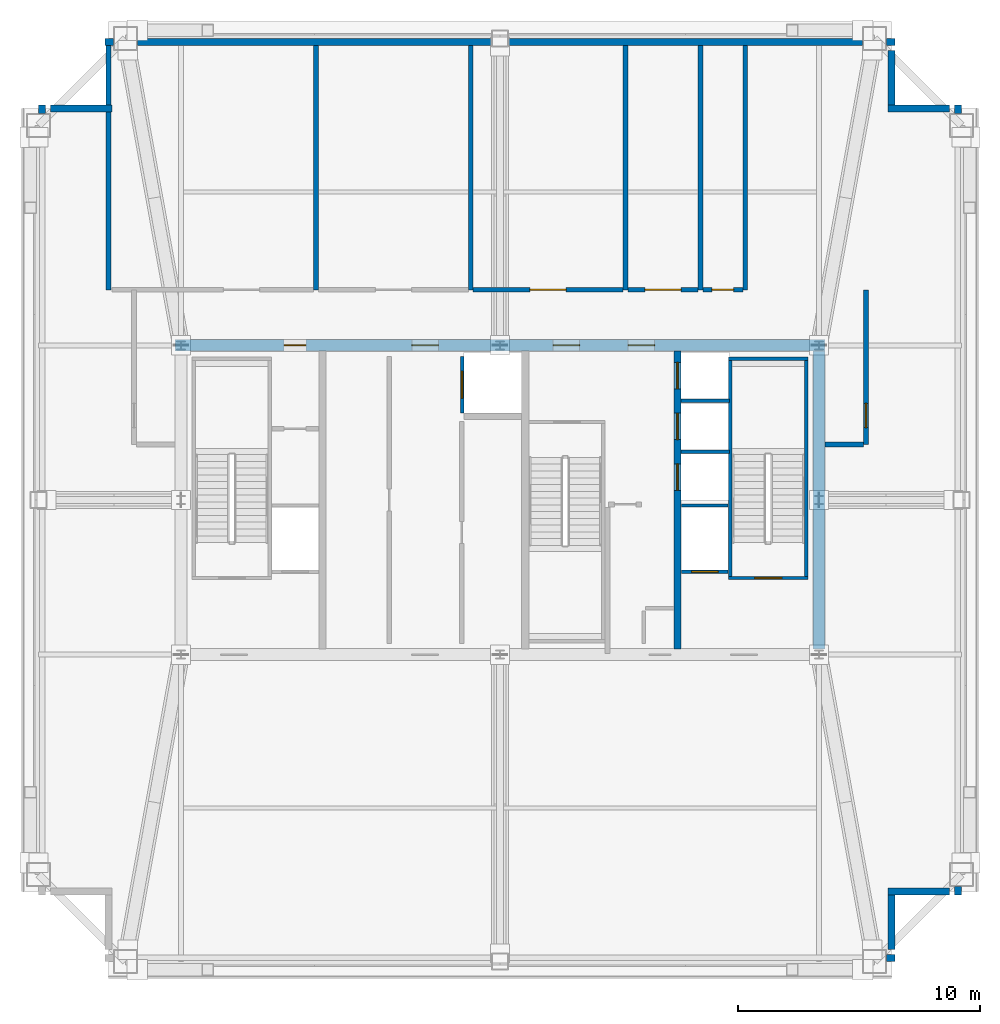
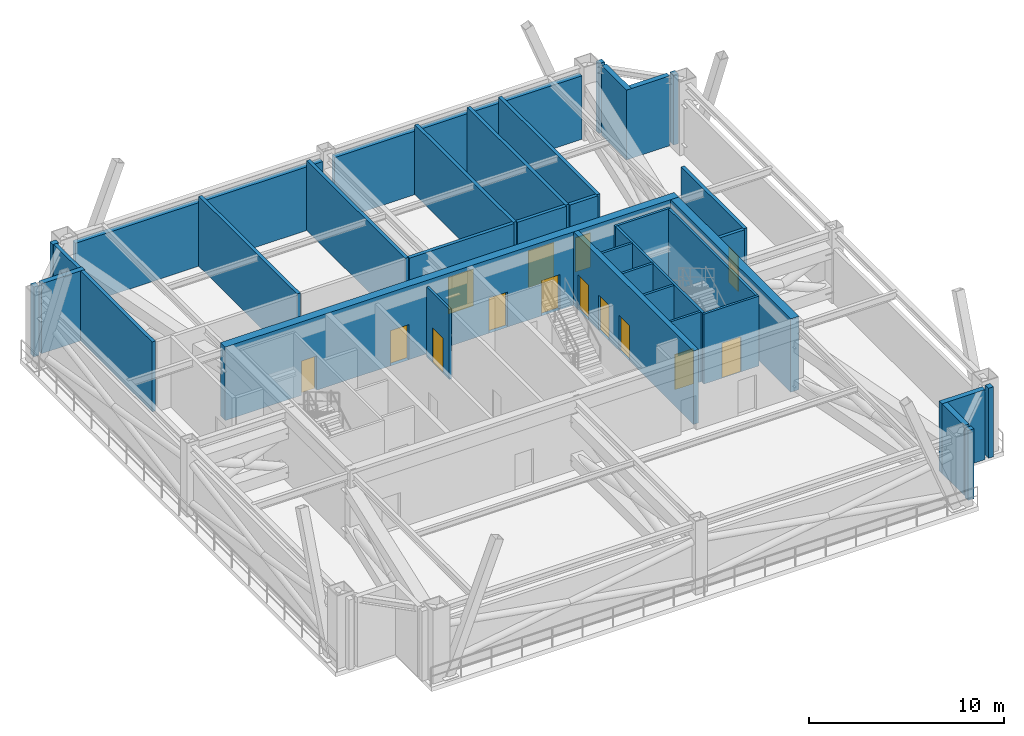
# One storey, part 6 of 9: 36 walls, 14 doors, 14 openings.
"""IFC4 building model written with IfcOpenShell, lengths in metres."""

from ifc_helpers import new_model, si_unit, direction, frame, frame_2d, origin, place, context, subcontext, project, spatial, rectangle, extrude, source, transform, mapped, material, layer, layer_set, type_object, element, fill, save


model = new_model("IFC4")

# Units and contexts
model_context = context("Model", 3, precision=1e-05, world=origin(), true_north=direction((0.0, 1.0)))
body_context = subcontext(model_context, "Body", "Model", "MODEL_VIEW")
ifc_project = project(units=[si_unit("LENGTHUNIT", "METRE"), si_unit("AREAUNIT", "SQUARE_METRE"), si_unit("VOLUMEUNIT", "CUBIC_METRE"), si_unit("PLANEANGLEUNIT", "RADIAN"), si_unit("MASSUNIT", "GRAM", prefix="KILO"), si_unit("THERMODYNAMICTEMPERATUREUNIT", "KELVIN"), si_unit("POWERUNIT", "WATT")], contexts=[model_context])

# Site, building, storey
site_placement = place(None, origin())
site = spatial("IfcSite", under=ifc_project, at=site_placement, CompositionType="ELEMENT")
building_placement = place(site_placement, origin())
building = spatial("IfcBuilding", under=site, at=building_placement, Name="Yuzanri Waterfront Tower", CompositionType="ELEMENT")
storey_placement = place(building_placement, frame((0.0, 0.0, 306.60009765625)))
storey = spatial("IfcBuildingStorey", under=building, at=storey_placement, Name="L82", CompositionType="ELEMENT", Elevation=306.60009765625)

# Wall, openings, doors
ifc_material_1 = material(Name="Concrete C45", Category="concrete")
ifc_layer_1 = layer(ifc_material_1, 0.47998046875)
ifc_layer_set_1 = layer_set([ifc_layer_1], Name="Concrete C45")
wall_type_1 = type_object("IfcWallType", Name="Concrete C45 High-Rise Core Shear Wall 480", PredefinedType="SHEAR", material=ifc_layer_set_1)
wall_1_placement = place(storey_placement, frame((23.56005859375, 32.199951171875, 0.0), z_axis=(0.0, 0.0, 1.0), x_axis=(1.0, 0.0, 0.0)))
wall_1 = element("IfcWall", 1, at=wall_1_placement, inside=storey, type_object=wall_type_1, Name="L82 Core North Shear Wall", PredefinedType="SHEAR", context=body_context, shape_type="SweptSolid", body=[
    extrude(rectangle(XDim=26.8798828125, YDim=0.47998046875, at=frame_2d((13.43994140625, 0.0))), origin(), (0.0, 0.0, 1.0), 4.599853515625),
])
opening_1_placement = place(wall_1_placement, frame((4.510009765625, 0.0, 0.0)))
opening_1 = element("IfcOpeningElement", 2, at=opening_1_placement, cuts=wall_1, Name="Opening FD-0900", PredefinedType="OPENING", context=body_context, shape_type="SweptSolid", body=[
    extrude(rectangle(XDim=0.89990234375, YDim=2.14990234375, at=frame_2d((0.449951171875, 1.074951171875))), frame((0.0, 0.2548828125, 0.0), z_axis=(0.0, -1.0, 0.0), x_axis=(1.0, 0.0, 0.0)), (0.0, 0.0, 1.0), 0.509765625),
])
opening_2_placement = place(wall_1_placement, frame((9.7900390625, 0.0, 0.0)))
opening_2 = element("IfcOpeningElement", 3, at=opening_2_placement, cuts=wall_1, Name="Opening FD-1100", PredefinedType="OPENING", context=body_context, shape_type="SweptSolid", body=[
    extrude(rectangle(XDim=1.10009765625, YDim=2.199951171875, at=frame_2d((0.550048828125, 1.10009765625))), frame((0.0, 0.2548828125, 0.0), z_axis=(0.0, -1.0, 0.0), x_axis=(1.0, 0.0, 0.0)), (0.0, 0.0, 1.0), 0.509765625),
])
opening_3_placement = place(wall_1_placement, frame((15.639892578125, 0.0, 0.0)))
opening_3 = element("IfcOpeningElement", 4, at=opening_3_placement, cuts=wall_1, Name="Opening FD-1100", PredefinedType="OPENING", context=body_context, shape_type="SweptSolid", body=[
    extrude(rectangle(XDim=1.10009765625, YDim=2.199951171875, at=frame_2d((0.550048828125, 1.10009765625))), frame((0.0, 0.2548828125, 0.0), z_axis=(0.0, -1.0, 0.0), x_axis=(1.0, 0.0, 0.0)), (0.0, 0.0, 1.0), 0.509765625),
])
opening_4_placement = place(wall_1_placement, frame((18.739990234375, 0.0, 0.0)))
opening_4 = element("IfcOpeningElement", 5, at=opening_4_placement, cuts=wall_1, Name="Opening FD-1100", PredefinedType="OPENING", context=body_context, shape_type="SweptSolid", body=[
    extrude(rectangle(XDim=1.10009765625, YDim=2.199951171875, at=frame_2d((0.550048828125, 1.10009765625))), frame((0.0, 0.2548828125, 0.0), z_axis=(0.0, -1.0, 0.0), x_axis=(1.0, 0.0, 0.0)), (0.0, 0.0, 1.0), 0.509765625),
])
ifc_material_2 = material(Name="Painted Galvanized Fire Steel", Category="steel")
door_type_1 = type_object("IfcDoorType", Name="Smoke-Proof Stair and Lobby Fire Door 1100x2200", OperationType="NOTDEFINED", PredefinedType="DOOR", material=ifc_material_2)
shared_shape_1 = source(origin(), body_context, "Body", "SweptSolid", [
    extrude(rectangle(XDim=1.10009765625, YDim=2.199951171875, at=frame_2d((0.550048828125, 1.10009765625))), frame((0.0, 0.02490234375, 0.0), z_axis=(0.0, -1.0, 0.0), x_axis=(1.0, 0.0, 0.0)), (0.0, 0.0, 1.0), 0.050048828125),
])
door_1_placement = place(opening_2_placement, origin())
door_1 = element("IfcDoor", 6, at=door_1_placement, inside=storey, type_object=door_type_1, Name="L82 Central Lift Lobby North Door", OperationType="SINGLE_SWING_LEFT", OverallHeight=2.199951171875, OverallWidth=1.10009765625, PredefinedType="DOOR", context=body_context, shape_type="MappedRepresentation", body=[
    mapped(shared_shape_1, transform((0.0, 0.0, 0.0), scale=1.0)),
])
fill(opening_2, door_1)
door_2_placement = place(opening_3_placement, origin())
door_2 = element("IfcDoor", 7, at=door_2_placement, inside=storey, type_object=door_type_1, Name="L82 North Stair Lobby Door", OperationType="SINGLE_SWING_RIGHT", OverallHeight=2.199951171875, OverallWidth=1.10009765625, PredefinedType="DOOR", context=body_context, shape_type="MappedRepresentation", body=[
    mapped(shared_shape_1, transform((0.0, 0.0, 0.0), scale=1.0)),
])
fill(opening_3, door_2)
door_3_placement = place(opening_4_placement, origin())
door_3 = element("IfcDoor", 8, at=door_3_placement, inside=storey, type_object=door_type_1, Name="L82 High-Rise Lift Lobby North Door", OperationType="SINGLE_SWING_LEFT", OverallHeight=2.199951171875, OverallWidth=1.10009765625, PredefinedType="DOOR", context=body_context, shape_type="MappedRepresentation", body=[
    mapped(shared_shape_1, transform((0.0, 0.0, 0.0), scale=1.0)),
])
fill(opening_4, door_3)
ifc_material_3 = material(Name="Painted Galvanized Fire Steel", Category="steel")
door_type_2 = type_object("IfcDoorType", Name="Riser and Service Room Fire Door 900x2150", OperationType="NOTDEFINED", PredefinedType="DOOR", material=ifc_material_3)
shared_shape_2 = source(origin(), body_context, "Body", "SweptSolid", [
    extrude(rectangle(XDim=0.89990234375, YDim=2.14990234375, at=frame_2d((0.449951171875, 1.074951171875))), frame((0.0, 0.02490234375, 0.0), z_axis=(0.0, -1.0, 0.0), x_axis=(1.0, 0.0, 0.0)), (0.0, 0.0, 1.0), 0.050048828125),
])
door_4_placement = place(opening_1_placement, origin())
door_4 = element("IfcDoor", 9, at=door_4_placement, inside=storey, type_object=door_type_2, Name="L82 Telecom Riser Door", OperationType="SINGLE_SWING_RIGHT", OverallHeight=2.14990234375, OverallWidth=0.89990234375, PredefinedType="DOOR", context=body_context, shape_type="MappedRepresentation", body=[
    mapped(shared_shape_2, transform((0.0, 0.0, 0.0), scale=1.0)),
])
fill(opening_1, door_4)

ifc_material_4 = material(Name="Concrete C50", Category="concrete")
ifc_layer_2 = layer(ifc_material_4, 0.300048828125)
ifc_layer_set_2 = layer_set([ifc_layer_2], Name="Concrete C50")
wall_type_2 = type_object("IfcWallType", Name="Concrete C50 Internal Core Shaft Structural Wall 300", PredefinedType="SOLIDWALL", material=ifc_layer_set_2)
wall_2_placement = place(storey_placement, frame((44.35009765625, 19.639892578125, 0.0), z_axis=(0.0, 0.0, 1.0), x_axis=(0.0, 1.0, 0.0)))
wall_2 = element("IfcWall", 10, at=wall_2_placement, inside=storey, type_object=wall_type_2, Name="L82 Core Internal Structural Web Wall 3", PredefinedType="SOLIDWALL", context=body_context, shape_type="SweptSolid", body=[
    extrude(rectangle(XDim=12.320068359375, YDim=0.300048828125, at=frame_2d((6.16015625, 0.0))), origin(), (0.0, 0.0, 1.0), 4.599853515625),
])
opening_5_placement = place(wall_2_placement, frame((6.56005859375, 0.0, 0.0)))
opening_5 = element("IfcOpeningElement", 11, at=opening_5_placement, cuts=wall_2, Name="Opening LD-PL-09", PredefinedType="OPENING", context=body_context, shape_type="SweptSolid", body=[
    extrude(rectangle(XDim=1.10009765625, YDim=2.199951171875, at=frame_2d((0.550048828125, 1.10009765625))), frame((0.0, 0.1650390625, 0.0), z_axis=(0.0, -1.0, 0.0), x_axis=(1.0, 0.0, 0.0)), (0.0, 0.0, 1.0), 0.329833984375),
])
opening_6_placement = place(wall_2_placement, frame((8.659912109375, 0.0, 0.0)))
opening_6 = element("IfcOpeningElement", 12, at=opening_6_placement, cuts=wall_2, Name="Opening LD-PL-10", PredefinedType="OPENING", context=body_context, shape_type="SweptSolid", body=[
    extrude(rectangle(XDim=1.10009765625, YDim=2.199951171875, at=frame_2d((0.550048828125, 1.10009765625))), frame((0.0, 0.1650390625, 0.0), z_axis=(0.0, -1.0, 0.0), x_axis=(1.0, 0.0, 0.0)), (0.0, 0.0, 1.0), 0.329833984375),
])
opening_7_placement = place(wall_2_placement, frame((10.760009765625, 0.0, 0.0)))
opening_7 = element("IfcOpeningElement", 13, at=opening_7_placement, cuts=wall_2, Name="Opening LD-PL-11", PredefinedType="OPENING", context=body_context, shape_type="SweptSolid", body=[
    extrude(rectangle(XDim=1.10009765625, YDim=2.199951171875, at=frame_2d((0.550048828125, 1.10009765625))), frame((0.0, 0.1650390625, 0.0), z_axis=(0.0, -1.0, 0.0), x_axis=(1.0, 0.0, 0.0)), (0.0, 0.0, 1.0), 0.329833984375),
])
ifc_material_5 = material(Name="Brushed Bronze and Stainless Steel Cab", Category="steel")
door_type_3 = type_object("IfcDoorType", Name="Center-Parting Bronze Lift Landing Sliding Door 1100x2200", OperationType="NOTDEFINED", PredefinedType="DOOR", material=ifc_material_5)
shared_shape_3 = source(origin(), body_context, "Body", "SweptSolid", [
    extrude(rectangle(XDim=1.10009765625, YDim=2.199951171875, at=frame_2d((0.550048828125, 1.10009765625))), frame((0.0, 0.02490234375, 0.0), z_axis=(0.0, -1.0, 0.0), x_axis=(1.0, 0.0, 0.0)), (0.0, 0.0, 1.0), 0.050048828125),
])
door_5_placement = place(opening_5_placement, origin())
door_5 = element("IfcDoor", 14, at=door_5_placement, inside=storey, type_object=door_type_3, Name="L82 PL-09 Lift Landing Sliding Door", OperationType="SLIDING_TO_LEFT", OverallHeight=2.199951171875, OverallWidth=1.10009765625, PredefinedType="DOOR", context=body_context, shape_type="MappedRepresentation", body=[
    mapped(shared_shape_3, transform((0.0, 0.0, 0.0), scale=1.0)),
])
fill(opening_5, door_5)
door_6_placement = place(opening_6_placement, origin())
door_6 = element("IfcDoor", 15, at=door_6_placement, inside=storey, type_object=door_type_3, Name="L82 PL-10 Lift Landing Sliding Door", OperationType="SLIDING_TO_RIGHT", OverallHeight=2.199951171875, OverallWidth=1.10009765625, PredefinedType="DOOR", context=body_context, shape_type="MappedRepresentation", body=[
    mapped(shared_shape_3, transform((0.0, 0.0, 0.0), scale=1.0)),
])
fill(opening_6, door_6)
door_7_placement = place(opening_7_placement, origin())
door_7 = element("IfcDoor", 16, at=door_7_placement, inside=storey, type_object=door_type_3, Name="L82 PL-11 Lift Landing Sliding Door", OperationType="SLIDING_TO_LEFT", OverallHeight=2.199951171875, OverallWidth=1.10009765625, PredefinedType="DOOR", context=body_context, shape_type="MappedRepresentation", body=[
    mapped(shared_shape_3, transform((0.0, 0.0, 0.0), scale=1.0)),
])
fill(opening_7, door_7)

# Wall, opening, door
ifc_material_6 = material(Name="Concrete C40", Category="concrete")
ifc_layer_3 = layer(ifc_material_6, 0.139892578125)
ifc_layer_set_3 = layer_set([ifc_layer_3], Name="Concrete C40")
wall_type_3 = type_object("IfcWallType", Name="Core Stair Liner and Hoistway Shaft Wall 140", PredefinedType="SOLIDWALL", material=ifc_layer_set_3)
wall_3_placement = place(storey_placement, frame((44.52001953125, 22.830078125, 0.0), z_axis=(0.0, 0.0, 1.0), x_axis=(1.0, 0.0, 0.0)))
wall_3 = element("IfcWall", 17, at=wall_3_placement, inside=storey, type_object=wall_type_3, Name="L82 Lift FL-02 Front Shaft Wall", PredefinedType="SOLIDWALL", context=body_context, shape_type="SweptSolid", body=[
    extrude(rectangle(XDim=1.919921875, YDim=0.139892578125, at=frame_2d((0.9599609375, 0.0))), origin(), (0.0, 0.0, 1.0), 4.3798828125),
])
opening_8_placement = place(wall_3_placement, frame((0.409912109375, 0.0, 0.0)))
opening_8 = element("IfcOpeningElement", 18, at=opening_8_placement, cuts=wall_3, Name="Opening LD-FL-02", PredefinedType="OPENING", context=body_context, shape_type="SweptSolid", body=[
    extrude(rectangle(XDim=1.10009765625, YDim=2.199951171875, at=frame_2d((0.550048828125, 1.10009765625))), frame((0.0, 0.0849609375, 0.0), z_axis=(0.0, -1.0, 0.0), x_axis=(1.0, 0.0, 0.0)), (0.0, 0.0, 1.0), 0.169677734375),
])
door_8_placement = place(opening_8_placement, origin())
door_8 = element("IfcDoor", 19, at=door_8_placement, inside=storey, type_object=door_type_3, Name="L82 FL-02 Lift Landing Sliding Door", OperationType="SLIDING_TO_RIGHT", OverallHeight=2.199951171875, OverallWidth=1.10009765625, PredefinedType="DOOR", context=body_context, shape_type="MappedRepresentation", body=[
    mapped(shared_shape_3, transform((0.0, 0.0, 0.0), scale=1.0)),
])
fill(opening_8, door_8)

wall_4_placement = place(storey_placement, frame((35.429931640625, 29.39990234375, 0.0), z_axis=(0.0, 0.0, 1.0), x_axis=(0.0, 1.0, 0.0)))
wall_4 = element("IfcWall", 20, at=wall_4_placement, inside=storey, type_object=wall_type_3, Name="L82 Lift SL-02 Front Shaft Wall", PredefinedType="SOLIDWALL", context=body_context, shape_type="SweptSolid", body=[
    extrude(rectangle(XDim=2.340087890625, YDim=0.139892578125, at=frame_2d((1.169921875, 0.0))), origin(), (0.0, 0.0, 1.0), 4.3798828125),
])
opening_9_placement = place(wall_4_placement, frame((0.6201171875, 0.0, 0.0)))
opening_9 = element("IfcOpeningElement", 21, at=opening_9_placement, cuts=wall_4, Name="Opening LD-SL-02", PredefinedType="OPENING", context=body_context, shape_type="SweptSolid", body=[
    extrude(rectangle(XDim=1.10009765625, YDim=2.199951171875, at=frame_2d((0.550048828125, 1.10009765625))), frame((0.0, 0.0849609375, 0.0), z_axis=(0.0, -1.0, 0.0), x_axis=(1.0, 0.0, 0.0)), (0.0, 0.0, 1.0), 0.169677734375),
])
door_9_placement = place(opening_9_placement, origin())
door_9 = element("IfcDoor", 22, at=door_9_placement, inside=storey, type_object=door_type_3, Name="L82 SL-02 Lift Landing Sliding Door", OperationType="SLIDING_TO_RIGHT", OverallHeight=2.199951171875, OverallWidth=1.10009765625, PredefinedType="DOOR", context=body_context, shape_type="MappedRepresentation", body=[
    mapped(shared_shape_3, transform((0.0, 0.0, 0.0), scale=1.0)),
])
fill(opening_9, door_9)

wall_5_placement = place(storey_placement, frame((46.4599609375, 22.570068359375, 0.0), z_axis=(0.0, 0.0, 1.0), x_axis=(1.0, 0.0, 0.0)))
wall_5 = element("IfcWall", 23, at=wall_5_placement, inside=storey, type_object=wall_type_3, Name="L82 Shaft Wall STW-L82-ST-02-S", PredefinedType="SOLIDWALL", context=body_context, shape_type="SweptSolid", body=[
    extrude(rectangle(XDim=3.280029296875, YDim=0.139892578125, at=frame_2d((1.64013671875, 0.0))), origin(), (0.0, 0.0, 1.0), 4.3798828125),
])
opening_10_placement = place(wall_5_placement, frame((1.090087890625, 0.0, 0.0)))
opening_10 = element("IfcOpeningElement", 24, at=opening_10_placement, cuts=wall_5, Name="Opening FD-1100", PredefinedType="OPENING", context=body_context, shape_type="SweptSolid", body=[
    extrude(rectangle(XDim=1.10009765625, YDim=2.199951171875, at=frame_2d((0.550048828125, 1.10009765625))), frame((0.0, 0.0849609375, 0.0), z_axis=(0.0, -1.0, 0.0), x_axis=(1.0, 0.0, 0.0)), (0.0, 0.0, 1.0), 0.169677734375),
])
door_10_placement = place(opening_10_placement, origin())
door_10 = element("IfcDoor", 25, at=door_10_placement, inside=storey, type_object=door_type_1, Name="L82 Stair ST-02 Fire Door", OperationType="SINGLE_SWING_LEFT", OverallHeight=2.199951171875, OverallWidth=1.10009765625, PredefinedType="DOOR", context=body_context, shape_type="MappedRepresentation", body=[
    mapped(shared_shape_1, transform((0.0, 0.0, 0.0), scale=1.0)),
])
fill(opening_10, door_10)

ifc_material_7 = material(Name="Autoclaved Aerated Concrete Blockwork", Category="masonry")
ifc_layer_4 = layer(ifc_material_7, 0.199951171875)
ifc_layer_set_4 = layer_set([ifc_layer_4], Name="Autoclaved Aerated Concrete Blockwork")
wall_type_4 = type_object("IfcWallType", Name="Corridor and Unit Party Fire Wall 200", PredefinedType="PARTITIONING", material=ifc_layer_set_4)
wall_6_placement = place(storey_placement, frame((52.14990234375, 28.10009765625, 0.0), z_axis=(0.0, 0.0, 1.0), x_axis=(0.0, 1.0, 0.0)))
wall_6 = element("IfcWall", 26, at=wall_6_placement, inside=storey, type_object=wall_type_4, Name="L82 Partition RFW-L82-CE", PredefinedType="PARTITIONING", context=body_context, shape_type="SweptSolid", body=[
    extrude(rectangle(XDim=6.39990234375, YDim=0.199951171875, at=frame_2d((3.199951171875, 0.0))), origin(), (0.0, 0.0, 1.0), 4.3798828125),
])
opening_11_placement = place(wall_6_placement, frame((0.699951171875, 0.0, 0.0)))
opening_11 = element("IfcOpeningElement", 27, at=opening_11_placement, cuts=wall_6, Name="Opening TD-1000", PredefinedType="OPENING", context=body_context, shape_type="SweptSolid", body=[
    extrude(rectangle(XDim=1.0, YDim=2.199951171875, at=frame_2d((0.5, 1.10009765625))), frame((0.0, 0.11474609375, 0.0), z_axis=(0.0, -1.0, 0.0), x_axis=(1.0, 0.0, 0.0)), (0.0, 0.0, 1.0), 0.229736328125),
])
ifc_material_8 = material(Name="Anodized Architectural Bronze", Category="metal")
door_type_4 = type_object("IfcDoorType", Name="Anodized Bronze Refuge Deck Weatherproof Exit Door 1000x2200", OperationType="NOTDEFINED", PredefinedType="DOOR", material=ifc_material_8)
shared_shape_4 = source(origin(), body_context, "Body", "SweptSolid", [
    extrude(rectangle(XDim=1.0, YDim=2.199951171875, at=frame_2d((0.5, 1.10009765625))), frame((0.0, 0.02490234375, 0.0), z_axis=(0.0, -1.0, 0.0), x_axis=(1.0, 0.0, 0.0)), (0.0, 0.0, 1.0), 0.050048828125),
])
door_11_placement = place(opening_11_placement, origin())
door_11 = element("IfcDoor", 28, at=door_11_placement, inside=storey, type_object=door_type_4, Name="L82 East Refuge Deck Exit Door", OperationType="SINGLE_SWING_RIGHT", OverallHeight=2.199951171875, OverallWidth=1.0, PredefinedType="DOOR", context=body_context, shape_type="MappedRepresentation", body=[
    mapped(shared_shape_4, transform((0.0, 0.0, 0.0), scale=1.0)),
])
fill(opening_11, door_11)

wall_7_placement = place(storey_placement, frame((35.89111328125, 34.5, 0.0), z_axis=(0.0, 0.0, 1.0), x_axis=(1.0, 0.0, 0.0)))
wall_7 = element("IfcWall", 29, at=wall_7_placement, inside=storey, type_object=wall_type_4, Name="L82 Partition RFW-L82-021-S", PredefinedType="PARTITIONING", context=body_context, shape_type="SweptSolid", body=[
    extrude(rectangle(XDim=6.199951171875, YDim=0.199951171875, at=frame_2d((3.10009765625, 0.0))), origin(), (0.0, 0.0, 1.0), 4.3798828125),
])
opening_12_placement = place(wall_7_placement, frame((2.35009765625, 0.0, 0.0)))
opening_12 = element("IfcOpeningElement", 30, at=opening_12_placement, cuts=wall_7, Name="Opening FD-1500", PredefinedType="OPENING", context=body_context, shape_type="SweptSolid", body=[
    extrude(rectangle(XDim=1.5, YDim=2.300048828125, at=frame_2d((0.75, 1.14990234375))), frame((0.0, 0.11474609375, 0.0), z_axis=(0.0, -1.0, 0.0), x_axis=(1.0, 0.0, 0.0)), (0.0, 0.0, 1.0), 0.229736328125),
])
ifc_material_9 = material(Name="Painted Galvanized Fire Steel", Category="steel")
door_type_5 = type_object("IfcDoorType", Name="Plant and Ballroom Double Fire Door 1500x2300", OperationType="NOTDEFINED", PredefinedType="DOOR", material=ifc_material_9)
shared_shape_5 = source(origin(), body_context, "Body", "SweptSolid", [
    extrude(rectangle(XDim=1.5, YDim=2.300048828125, at=frame_2d((0.75, 1.14990234375))), frame((0.0, 0.02490234375, 0.0), z_axis=(0.0, -1.0, 0.0), x_axis=(1.0, 0.0, 0.0)), (0.0, 0.0, 1.0), 0.050048828125),
])
door_12_placement = place(opening_12_placement, origin())
door_12 = element("IfcDoor", 31, at=door_12_placement, inside=storey, type_object=door_type_5, Name="L82 Plate Heat-Exchanger Plant Room", OperationType="DOUBLE_DOOR_SINGLE_SWING", OverallHeight=2.300048828125, OverallWidth=1.5, PredefinedType="DOOR", context=body_context, shape_type="MappedRepresentation", body=[
    mapped(shared_shape_5, transform((0.0, 0.0, 0.0), scale=1.0)),
])
fill(opening_12, door_12)

wall_8_placement = place(storey_placement, frame((42.291015625, 34.5, 0.0), z_axis=(0.0, 0.0, 1.0), x_axis=(1.0, 0.0, 0.0)))
wall_8 = element("IfcWall", 32, at=wall_8_placement, inside=storey, type_object=wall_type_4, Name="L82 Partition RFW-L82-022-S", PredefinedType="PARTITIONING", context=body_context, shape_type="SweptSolid", body=[
    extrude(rectangle(XDim=2.908935546875, YDim=0.199951171875, at=frame_2d((1.45458984375, 0.0))), origin(), (0.0, 0.0, 1.0), 4.3798828125),
])
opening_13_placement = place(wall_8_placement, frame((0.705078125, 0.0, 0.0)))
opening_13 = element("IfcOpeningElement", 33, at=opening_13_placement, cuts=wall_8, Name="Opening FD-1500", PredefinedType="OPENING", context=body_context, shape_type="SweptSolid", body=[
    extrude(rectangle(XDim=1.5, YDim=2.300048828125, at=frame_2d((0.75, 1.14990234375))), frame((0.0, 0.11474609375, 0.0), z_axis=(0.0, -1.0, 0.0), x_axis=(1.0, 0.0, 0.0)), (0.0, 0.0, 1.0), 0.229736328125),
])
door_13_placement = place(opening_13_placement, origin())
door_13 = element("IfcDoor", 34, at=door_13_placement, inside=storey, type_object=door_type_5, Name="L82 Electrical Transformer and UPS Room", OperationType="DOUBLE_DOOR_SINGLE_SWING", OverallHeight=2.300048828125, OverallWidth=1.5, PredefinedType="DOOR", context=body_context, shape_type="MappedRepresentation", body=[
    mapped(shared_shape_5, transform((0.0, 0.0, 0.0), scale=1.0)),
])
fill(opening_13, door_13)

wall_9_placement = place(storey_placement, frame((45.39990234375, 34.5, 0.0), z_axis=(0.0, 0.0, 1.0), x_axis=(1.0, 0.0, 0.0)))
wall_9 = element("IfcWall", 35, at=wall_9_placement, inside=storey, type_object=wall_type_4, Name="L82 Partition RFW-L82-023-S", PredefinedType="PARTITIONING", context=body_context, shape_type="SweptSolid", body=[
    extrude(rectangle(XDim=1.650146484375, YDim=0.199951171875, at=frame_2d((0.8251953125, 0.0))), origin(), (0.0, 0.0, 1.0), 4.3798828125),
])
opening_14_placement = place(wall_9_placement, frame((0.3701171875, 0.0, 0.0)))
opening_14 = element("IfcOpeningElement", 36, at=opening_14_placement, cuts=wall_9, Name="Opening FD-0900", PredefinedType="OPENING", context=body_context, shape_type="SweptSolid", body=[
    extrude(rectangle(XDim=0.89990234375, YDim=2.14990234375, at=frame_2d((0.449951171875, 1.074951171875))), frame((0.0, 0.11474609375, 0.0), z_axis=(0.0, -1.0, 0.0), x_axis=(1.0, 0.0, 0.0)), (0.0, 0.0, 1.0), 0.229736328125),
])
door_14_placement = place(opening_14_placement, origin())
door_14 = element("IfcDoor", 37, at=door_14_placement, inside=storey, type_object=door_type_2, Name="L82 Refuge Accessible WC", OperationType="SINGLE_SWING_LEFT", OverallHeight=2.14990234375, OverallWidth=0.89990234375, PredefinedType="DOOR", context=body_context, shape_type="MappedRepresentation", body=[
    mapped(shared_shape_2, transform((0.0, 0.0, 0.0), scale=1.0)),
])
fill(opening_14, door_14)

# Walls
shared_shape_6 = source(origin(), body_context, "Body", "SweptSolid", [
    extrude(rectangle(XDim=12.320068359375, YDim=0.47998046875, at=frame_2d((6.16015625, 0.0))), origin(), (0.0, 0.0, 1.0), 4.599853515625),
])
wall_10_placement = place(storey_placement, frame((50.199951171875, 19.639892578125, 0.0), z_axis=(0.0, 0.0, 1.0), x_axis=(0.0, 1.0, 0.0)))
element("IfcWall", 38, at=wall_10_placement, inside=storey, type_object=wall_type_1, Name="L82 Core East Shear Wall", PredefinedType="SHEAR", context=body_context, shape_type="MappedRepresentation", body=[
    mapped(shared_shape_6, transform((0.0, 0.0, 0.0), scale=1.0)),
])
ifc_material_10 = material(Name="Honed Chongqing Dark Basalt Stone", Category="masonry")
ifc_layer_5 = layer(ifc_material_10, 0.300048828125)
ifc_layer_set_5 = layer_set([ifc_layer_5], Name="Honed Chongqing Dark Basalt Stone")
wall_type_5 = type_object("IfcWallType", Name="Bronze Rainscreen Insulated Spandrel Portal Wall 300", PredefinedType="SOLIDWALL", material=ifc_layer_set_5)
shared_shape_7 = source(origin(), body_context, "Body", "SweptSolid", [
    extrude(rectangle(XDim=2.550048828125, YDim=0.300048828125, at=frame_2d((1.27490234375, 0.0))), origin(), (0.0, 0.0, 1.0), 4.3798828125),
])
for number, where, z_axis, x_axis, name in (
    (39, (53.050048828125, 9.60009765625, 0.0), (0.0, 0.0, 1.0), (1.0, 0.0, 0.0), "L82 Notched Corner Masonry Wall SE-X"),
    (40, (53.199951171875, 7.199951171875, 0.0), (0.0, 0.0, 1.0), (0.0, 1.0, 0.0), "L82 Notched Corner Masonry Wall SE-Y"),
    (41, (20.949951171875, 42.0, 0.0), (0.0, 0.0, 1.0), (-1.0, 0.0, 0.0), "L82 Notched Corner Masonry Wall NW-X"),
    (42, (55.60009765625, 42.0, 0.0), (0.0, 0.0, 1.0), (-1.0, 0.0, 0.0), "L82 Notched Corner Masonry Wall NE-X"),
):
    element("IfcWall", number, at=place(storey_placement, frame(where, z_axis=z_axis, x_axis=x_axis)), inside=storey, type_object=wall_type_5, Name=name, PredefinedType="SOLIDWALL", context=body_context, shape_type="MappedRepresentation", body=[
        mapped(shared_shape_7, transform((0.0, 0.0, 0.0), scale=1.0)),
    ])
shared_shape_8 = source(origin(), body_context, "Body", "SweptSolid", [
    extrude(rectangle(XDim=2.5498046875, YDim=0.300048828125, at=frame_2d((1.27490234375, 0.0))), origin(), (0.0, 0.0, 1.0), 4.3798828125),
])
wall_11_placement = place(storey_placement, frame((53.199951171875, 41.85009765625, 0.0), z_axis=(0.0, 0.0, 1.0), x_axis=(0.0, 1.0, 0.0)))
element("IfcWall", 43, at=wall_11_placement, inside=storey, type_object=wall_type_5, Name="L82 Notched Corner Masonry Wall NE-Y", PredefinedType="SOLIDWALL", context=body_context, shape_type="MappedRepresentation", body=[
    mapped(shared_shape_8, transform((0.0, 0.0, 0.0), scale=1.0)),
])
shared_shape_9 = source(origin(), body_context, "Body", "SweptSolid", [
    extrude(rectangle(XDim=0.35009765625, YDim=0.300048828125, at=frame_2d((0.175048828125, 0.0))), origin(), (0.0, 0.0, 1.0), 4.3798828125),
])
for number, where, z_axis, x_axis, name in (
    (44, (53.0, 6.85009765625, 0.0), (0.0, 0.0, 1.0), (1.0, 0.0, 0.0), "L82 Corner Column Shoulder Return CSE"),
    (45, (20.64990234375, 44.75, 0.0), (0.0, 0.0, 1.0), (1.0, 0.0, 0.0), "L82 Corner Column Shoulder Return CNW"),
    (46, (53.0, 44.75, 0.0), (0.0, 0.0, 1.0), (1.0, 0.0, 0.0), "L82 Corner Column Shoulder Return CNE"),
    (47, (55.949951171875, 9.449951171875, 0.0), (0.0, 0.0, 1.0), (0.0, 1.0, 0.0), "L82 Corner Column Shoulder Return CES"),
):
    element("IfcWall", number, at=place(storey_placement, frame(where, z_axis=z_axis, x_axis=x_axis)), inside=storey, type_object=wall_type_5, Name=name, PredefinedType="SOLIDWALL", context=body_context, shape_type="MappedRepresentation", body=[
        mapped(shared_shape_9, transform((0.0, 0.0, 0.0), scale=1.0)),
    ])
shared_shape_10 = source(origin(), body_context, "Body", "SweptSolid", [
    extrude(rectangle(XDim=0.349853515625, YDim=0.300048828125, at=frame_2d((0.1748046875, 0.0))), origin(), (0.0, 0.0, 1.0), 4.3798828125),
])
for number, where, z_axis, x_axis, name in (
    (48, (18.050048828125, 41.800048828125, 0.0), (0.0, 0.0, 1.0), (0.0, 1.0, 0.0), "L82 Corner Column Shoulder Return CWN"),
    (49, (55.949951171875, 41.800048828125, 0.0), (0.0, 0.0, 1.0), (0.0, 1.0, 0.0), "L82 Corner Column Shoulder Return CEN"),
):
    element("IfcWall", number, at=place(storey_placement, frame(where, z_axis=z_axis, x_axis=x_axis)), inside=storey, type_object=wall_type_5, Name=name, PredefinedType="SOLIDWALL", context=body_context, shape_type="MappedRepresentation", body=[
        mapped(shared_shape_10, transform((0.0, 0.0, 0.0), scale=1.0)),
    ])
shared_shape_11 = source(origin(), body_context, "Body", "SweptSolid", [
    extrude(rectangle(XDim=14.64990234375, YDim=0.300048828125, at=frame_2d((7.324951171875, 0.0))), origin(), (0.0, 0.0, 1.0), 3.98486328125),
])
for number, where, z_axis, x_axis, name in (
    (50, (22.0, 44.75, 0.0), (0.0, 0.0, 1.0), (1.0, 0.0, 0.0), "L82 Refuge Plant North-West Wall"),
    (51, (37.35009765625, 44.75, 0.0), (0.0, 0.0, 1.0), (1.0, 0.0, 0.0), "L82 Refuge Plant North-East Wall"),
):
    element("IfcWall", number, at=place(storey_placement, frame(where, z_axis=z_axis, x_axis=x_axis)), inside=storey, type_object=wall_type_5, Name=name, PredefinedType="SOLIDWALL", context=body_context, shape_type="MappedRepresentation", body=[
        mapped(shared_shape_11, transform((0.0, 0.0, 0.0), scale=1.0)),
    ])
shared_shape_12 = source(origin(), body_context, "Body", "SweptSolid", [
    extrude(rectangle(XDim=1.919921875, YDim=0.139892578125, at=frame_2d((0.9599609375, 0.0))), origin(), (0.0, 0.0, 1.0), 4.3798828125),
])
wall_12_placement = place(storey_placement, frame((44.52001953125, 25.570068359375, 0.0), z_axis=(0.0, 0.0, 1.0), x_axis=(1.0, 0.0, 0.0)))
element("IfcWall", 52, at=wall_12_placement, inside=storey, type_object=wall_type_3, Name="L82 Lift FL-02 Back Shaft Wall", PredefinedType="SOLIDWALL", context=body_context, shape_type="MappedRepresentation", body=[
    mapped(shared_shape_12, transform((0.0, 0.0, 0.0), scale=1.0)),
])
shared_shape_13 = source(origin(), body_context, "Body", "SweptSolid", [
    extrude(rectangle(XDim=2.0, YDim=0.139892578125, at=frame_2d((1.0, 0.0))), origin(), (0.0, 0.0, 1.0), 4.3798828125),
])
for number, where, z_axis, x_axis, name in (
    (53, (44.5, 27.800048828125, 0.0), (0.0, 0.0, 1.0), (1.0, 0.0, 0.0), "L82 Lift PL-09 Divider Wall"),
    (54, (44.5, 29.89990234375, 0.0), (0.0, 0.0, 1.0), (1.0, 0.0, 0.0), "L82 Lift PL-10 Divider Wall"),
):
    element("IfcWall", number, at=place(storey_placement, frame(where, z_axis=z_axis, x_axis=x_axis)), inside=storey, type_object=wall_type_3, Name=name, PredefinedType="SOLIDWALL", context=body_context, shape_type="MappedRepresentation", body=[
        mapped(shared_shape_13, transform((0.0, 0.0, 0.0), scale=1.0)),
    ])
shared_shape_14 = source(origin(), body_context, "Body", "SweptSolid", [
    extrude(rectangle(XDim=3.280029296875, YDim=0.139892578125, at=frame_2d((1.64013671875, 0.0))), origin(), (0.0, 0.0, 1.0), 4.3798828125),
])
wall_13_placement = place(storey_placement, frame((46.4599609375, 31.64990234375, 0.0), z_axis=(0.0, 0.0, 1.0), x_axis=(1.0, 0.0, 0.0)))
element("IfcWall", 55, at=wall_13_placement, inside=storey, type_object=wall_type_3, Name="L82 Stair ST-02 North Shaft Wall", PredefinedType="SOLIDWALL", context=body_context, shape_type="MappedRepresentation", body=[
    mapped(shared_shape_14, transform((0.0, 0.0, 0.0), scale=1.0)),
])
shared_shape_15 = source(origin(), body_context, "Body", "SweptSolid", [
    extrude(rectangle(XDim=8.940185546875, YDim=0.139892578125, at=frame_2d((4.47021484375, 0.0))), origin(), (0.0, 0.0, 1.0), 4.3798828125),
])
for number, where, z_axis, x_axis, name in (
    (56, (46.530029296875, 22.639892578125, 0.0), (0.0, 0.0, 1.0), (0.0, 1.0, 0.0), "L82 Stair ST-02 West Shaft Wall"),
    (57, (49.669921875, 22.639892578125, 0.0), (0.0, 0.0, 1.0), (0.0, 1.0, 0.0), "L82 Stair ST-02 East Shaft Wall"),
):
    element("IfcWall", number, at=place(storey_placement, frame(where, z_axis=z_axis, x_axis=x_axis)), inside=storey, type_object=wall_type_3, Name=name, PredefinedType="SOLIDWALL", context=body_context, shape_type="MappedRepresentation", body=[
        mapped(shared_shape_15, transform((0.0, 0.0, 0.0), scale=1.0)),
    ])
shared_shape_16 = source(origin(), body_context, "Body", "SweptSolid", [
    extrude(rectangle(XDim=10.10009765625, YDim=0.199951171875, at=frame_2d((5.050048828125, 0.0))), origin(), (0.0, 0.0, 1.0), 4.3798828125),
])
for number, where, z_axis, x_axis, name in (
    (58, (20.800048828125, 34.5, 0.0), (0.0, 0.0, 1.0), (0.0, 1.0, 0.0), "L82 Plant West Wall"),
    (59, (29.39111328125, 34.5, 0.0), (0.0, 0.0, 1.0), (0.0, 1.0, 0.0), "L82-019 Plant Demising Wall"),
    (60, (35.791015625, 34.5, 0.0), (0.0, 0.0, 1.0), (0.0, 1.0, 0.0), "L82-020 Plant Demising Wall"),
    (61, (42.19091796875, 34.5, 0.0), (0.0, 0.0, 1.0), (0.0, 1.0, 0.0), "L82-021 Plant Demising Wall"),
    (62, (45.300048828125, 34.5, 0.0), (0.0, 0.0, 1.0), (0.0, 1.0, 0.0), "L82-022 Plant Demising Wall"),
    (63, (47.14990234375, 34.5, 0.0), (0.0, 0.0, 1.0), (0.0, 1.0, 0.0), "L82-023 Plant Demising Wall"),
):
    element("IfcWall", number, at=place(storey_placement, frame(where, z_axis=z_axis, x_axis=x_axis)), inside=storey, type_object=wall_type_4, Name=name, PredefinedType="PARTITIONING", context=body_context, shape_type="MappedRepresentation", body=[
        mapped(shared_shape_16, transform((0.0, 0.0, 0.0), scale=1.0)),
    ])
shared_shape_17 = source(origin(), body_context, "Body", "SweptSolid", [
    extrude(rectangle(XDim=1.590087890625, YDim=0.199951171875, at=frame_2d((0.794921875, 0.0))), origin(), (0.0, 0.0, 1.0), 4.3798828125),
])
wall_14_placement = place(storey_placement, frame((50.4599609375, 28.10009765625, 0.0), z_axis=(0.0, 0.0, 1.0), x_axis=(1.0, 0.0, 0.0)))
element("IfcWall", 64, at=wall_14_placement, inside=storey, type_object=wall_type_4, Name="L82 East Refuge Vestibule South Wall", PredefinedType="PARTITIONING", context=body_context, shape_type="MappedRepresentation", body=[
    mapped(shared_shape_17, transform((0.0, 0.0, 0.0), scale=1.0)),
])

save(model, "model.ifc")
